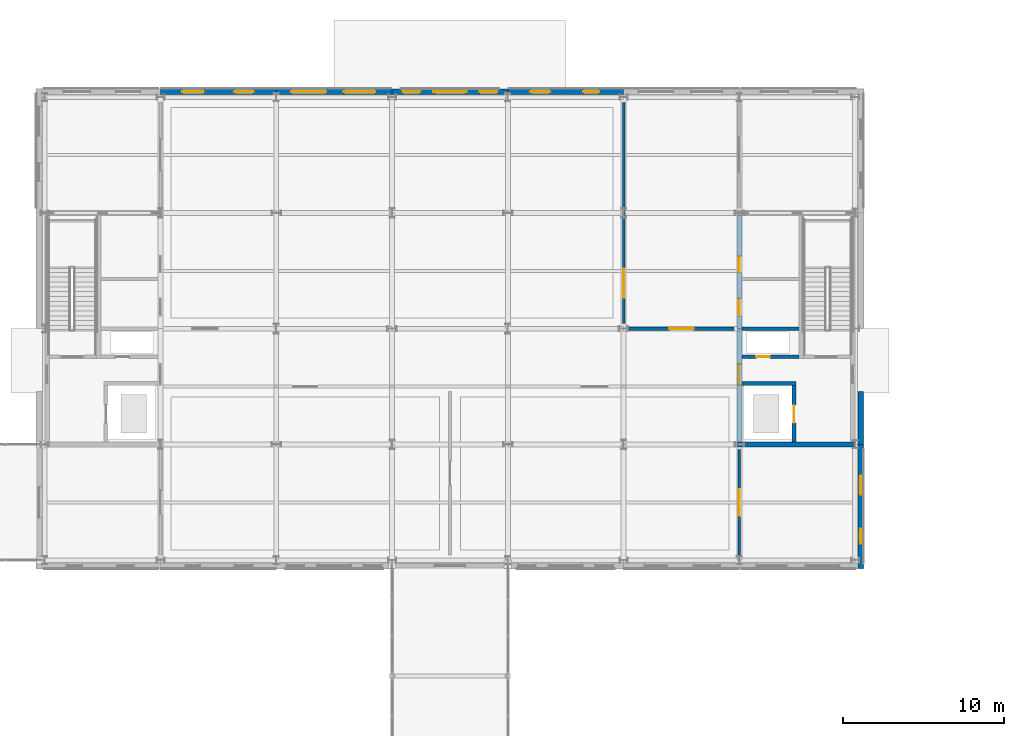
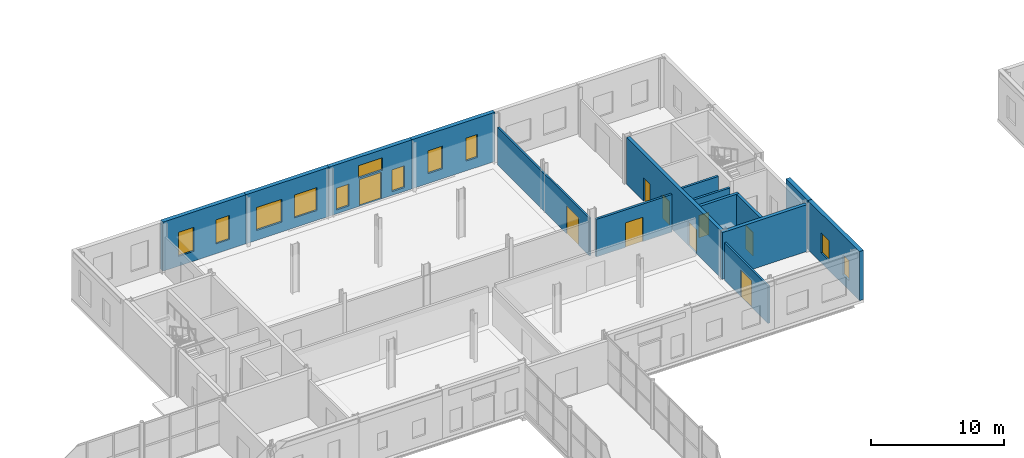
# One storey, part 64 of 92: 15 walls, 11 windows, 9 doors, 20 openings.
"""IFC4 building model written with IfcOpenShell, lengths in metres."""

from ifc_helpers import new_model, si_unit, direction, frame, frame_2d, origin, place, context, subcontext, project, spatial, rectangle, extrude, material, layer, layer_set, type_object, element, fill, save


model = new_model("IFC4")

# Units and contexts
model_context = context("Model", 3, precision=1e-05, world=origin(), true_north=direction((0.0, 1.0)))
body_context = subcontext(model_context, "Body", "Model", "MODEL_VIEW")
ifc_project = project(units=[si_unit("LENGTHUNIT", "METRE"), si_unit("AREAUNIT", "SQUARE_METRE"), si_unit("VOLUMEUNIT", "CUBIC_METRE"), si_unit("PLANEANGLEUNIT", "RADIAN"), si_unit("MASSUNIT", "GRAM", prefix="KILO")], contexts=[model_context])

# Site, building, storey
site_placement = place(None, origin())
site = spatial("IfcSite", under=ifc_project, at=site_placement, CompositionType="ELEMENT")
building_placement = place(site_placement, origin())
building = spatial("IfcBuilding", under=site, at=building_placement, Name="Zlatovets Crest Museum", CompositionType="ELEMENT")
storey_placement = place(building_placement, origin())
storey = spatial("IfcBuildingStorey", under=building, at=storey_placement, Name="L00", CompositionType="ELEMENT", Elevation=0.0)

# Wall
ifc_material_1 = material(Name="Concrete C35/45", Category="concrete")
ifc_layer_1 = layer(ifc_material_1, 0.300048828125)
ifc_layer_set_1 = layer_set([ifc_layer_1], Name="Concrete C35/45")
wall_type_1 = type_object("IfcWallType", Name="CoreWall_SW01", PredefinedType="SHEAR", material=ifc_layer_set_1)
wall_1_placement = place(storey_placement, frame((100.64990234375, 93.60009765625, 0.0), z_axis=(0.0, 0.0, 1.0), x_axis=(1.0, 0.0, 0.0)))
element("IfcWall", 1, at=wall_1_placement, inside=storey, type_object=wall_type_1, Name="Core C6 L00 South Shear Wall", PredefinedType="SHEAR", context=body_context, shape_type="SweptSolid", body=[
    extrude(rectangle(XDim=7.35009765625, YDim=0.300048828125, at=frame_2d((3.675048828125, 0.0))), origin(), (0.0, 0.0, 1.0), 4.280029296875),
])

# Wall, openings, doors
wall_2_placement = place(storey_placement, frame((100.800048828125, 93.75, 0.0), z_axis=(0.0, 0.0, 1.0), x_axis=(0.0, 1.0, 0.0)))
wall_2 = element("IfcWall", 2, at=wall_2_placement, inside=storey, type_object=wall_type_1, Name="Core C6 L00 Spine Shear Wall", PredefinedType="SHEAR", context=body_context, shape_type="SweptSolid", body=[
    extrude(rectangle(XDim=14.10009765625, YDim=0.300048828125, at=frame_2d((7.050048828125, 0.0))), origin(), (0.0, 0.0, 1.0), 4.280029296875),
])
opening_1_placement = place(wall_2_placement, frame((3.550048828125, 0.0, 0.0)))
opening_1 = element("IfcOpeningElement", 3, at=opening_1_placement, cuts=wall_2, Name="Opening FD-01", PredefinedType="OPENING", context=body_context, shape_type="SweptSolid", body=[
    extrude(rectangle(XDim=1.300048828125, YDim=2.199951171875, at=frame_2d((0.64990234375, 1.10009765625))), frame((0.0, 0.16015625, 0.0), z_axis=(0.0, -1.0, 0.0), x_axis=(1.0, 0.0, 0.0)), (0.0, 0.0, 1.0), 0.320068359375),
])
opening_2_placement = place(wall_2_placement, frame((7.85009765625, 0.0, 0.0)))
opening_2 = element("IfcOpeningElement", 4, at=opening_2_placement, cuts=wall_2, Name="Opening ID-02", PredefinedType="OPENING", context=body_context, shape_type="SweptSolid", body=[
    extrude(rectangle(XDim=1.050048828125, YDim=2.14990234375, at=frame_2d((0.52490234375, 1.074951171875))), frame((0.0, 0.16015625, 0.0), z_axis=(0.0, -1.0, 0.0), x_axis=(1.0, 0.0, 0.0)), (0.0, 0.0, 1.0), 0.320068359375),
])
opening_3_placement = place(wall_2_placement, frame((10.550048828125, 0.0, 0.0)))
opening_3 = element("IfcOpeningElement", 5, at=opening_3_placement, cuts=wall_2, Name="Opening ID-01", PredefinedType="OPENING", context=body_context, shape_type="SweptSolid", body=[
    extrude(rectangle(XDim=1.0, YDim=2.14990234375, at=frame_2d((0.5, 1.074951171875))), frame((0.0, 0.16015625, 0.0), z_axis=(0.0, -1.0, 0.0), x_axis=(1.0, 0.0, 0.0)), (0.0, 0.0, 1.0), 0.320068359375),
])
ifc_material_2 = material(Name="Smoke-sealed steel fire door", Category="steel")
door_type_1 = type_object("IfcDoorType", Name="IntDoor_FD-01", OperationType="NOTDEFINED", PredefinedType="DOOR", material=ifc_material_2)
door_1_placement = place(opening_1_placement, origin())
door_1 = element("IfcDoor", 6, at=door_1_placement, inside=storey, type_object=door_type_1, Name="CDOOR-C6-L00-LOB Core C6 L00 Lobby Fire Door", OperationType="SINGLE_SWING_RIGHT", OverallHeight=2.199951171875, OverallWidth=1.300048828125, PredefinedType="DOOR", context=body_context, shape_type="SweptSolid", body=[
    extrude(rectangle(XDim=1.300048828125, YDim=2.199951171875, at=frame_2d((0.64990234375, 1.10009765625))), frame((0.0, 0.02490234375, 0.0), z_axis=(0.0, -1.0, 0.0), x_axis=(1.0, 0.0, 0.0)), (0.0, 0.0, 1.0), 0.050048828125),
])
fill(opening_1, door_1)
ifc_material_3 = material(Name="Solid oak museum room door")
door_type_2 = type_object("IfcDoorType", Name="IntDoor_ID-01", OperationType="NOTDEFINED", PredefinedType="DOOR", material=ifc_material_3)
door_2_placement = place(opening_3_placement, origin())
door_2 = element("IfcDoor", 7, at=door_2_placement, inside=storey, type_object=door_type_2, Name="CDOOR-C6-L00-WC Core C6 L00 Public Restroom Door", OperationType="SINGLE_SWING_RIGHT", OverallHeight=2.14990234375, OverallWidth=1.0, PredefinedType="DOOR", context=body_context, shape_type="SweptSolid", body=[
    extrude(rectangle(XDim=1.0, YDim=2.14990234375, at=frame_2d((0.5, 1.074951171875))), frame((0.0, 0.02490234375, 0.0), z_axis=(0.0, -1.0, 0.0), x_axis=(1.0, 0.0, 0.0)), (0.0, 0.0, 1.0), 0.050048828125),
])
fill(opening_3, door_2)
ifc_material_4 = material(Name="Accessible sanitary room door")
door_type_3 = type_object("IfcDoorType", Name="IntDoor_ID-02", OperationType="NOTDEFINED", PredefinedType="DOOR", material=ifc_material_4)
door_3_placement = place(opening_2_placement, origin())
door_3 = element("IfcDoor", 8, at=door_3_placement, inside=storey, type_object=door_type_3, Name="CDOOR-C6-L00-AWC Core C6 L00 Accessible WC Door", OperationType="SINGLE_SWING_LEFT", OverallHeight=2.14990234375, OverallWidth=1.050048828125, PredefinedType="DOOR", context=body_context, shape_type="SweptSolid", body=[
    extrude(rectangle(XDim=1.050048828125, YDim=2.14990234375, at=frame_2d((0.52490234375, 1.074951171875))), frame((0.0, 0.02490234375, 0.0), z_axis=(0.0, -1.0, 0.0), x_axis=(1.0, 0.0, 0.0)), (0.0, 0.0, 1.0), 0.050048828125),
])
fill(opening_2, door_3)

# Wall, opening, door
ifc_layer_2 = layer(ifc_material_1, 0.25)
ifc_layer_set_2 = layer_set([ifc_layer_2], Name="Concrete C35/45")
wall_type_2 = type_object("IfcWallType", Name="CoreWall_SW02", PredefinedType="SHEAR", material=ifc_layer_set_2)
wall_3_placement = place(storey_placement, frame((104.199951171875, 93.75, 0.0), z_axis=(0.0, 0.0, 1.0), x_axis=(0.0, 1.0, 0.0)))
wall_3 = element("IfcWall", 9, at=wall_3_placement, inside=storey, type_object=wall_type_2, Name="Core C6 L00 Lift Shaft Wall", PredefinedType="SHEAR", context=body_context, shape_type="SweptSolid", body=[
    extrude(rectangle(XDim=3.52490234375, YDim=0.25, at=frame_2d((1.762451171875, 0.0))), origin(), (0.0, 0.0, 1.0), 4.280029296875),
])
opening_4_placement = place(wall_3_placement, frame((1.199951171875, 0.0, 0.0)))
opening_4 = element("IfcOpeningElement", 10, at=opening_4_placement, cuts=wall_3, Name="Opening LD-01", PredefinedType="OPENING", context=body_context, shape_type="SweptSolid", body=[
    extrude(rectangle(XDim=1.10009765625, YDim=2.14990234375, at=frame_2d((0.550048828125, 1.074951171875))), frame((0.0, 0.135009765625, 0.0), z_axis=(0.0, -1.0, 0.0), x_axis=(1.0, 0.0, 0.0)), (0.0, 0.0, 1.0), 0.27001953125),
])
ifc_material_5 = material(Name="Stainless-bronze sliding lift landing door")
door_type_4 = type_object("IfcDoorType", Name="IntDoor_LD-01", OperationType="SLIDING_TO_LEFT", PredefinedType="DOOR", material=ifc_material_5)
door_4_placement = place(opening_4_placement, origin())
door_4 = element("IfcDoor", 11, at=door_4_placement, inside=storey, type_object=door_type_4, Name="LDOOR-FL2-L00 Lift FL2 L00 Sliding Landing Door", OperationType="SLIDING_TO_LEFT", OverallHeight=2.14990234375, OverallWidth=1.10009765625, PredefinedType="DOOR", context=body_context, shape_type="SweptSolid", body=[
    extrude(rectangle(XDim=1.10009765625, YDim=2.14990234375, at=frame_2d((0.550048828125, 1.074951171875))), frame((0.0, 0.02490234375, 0.0), z_axis=(0.0, -1.0, 0.0), x_axis=(1.0, 0.0, 0.0)), (0.0, 0.0, 1.0), 0.050048828125),
])
fill(opening_4, door_4)

# Wall
wall_4_placement = place(storey_placement, frame((100.949951171875, 97.39990234375, 0.0), z_axis=(0.0, 0.0, 1.0), x_axis=(1.0, 0.0, 0.0)))
element("IfcWall", 12, at=wall_4_placement, inside=storey, type_object=wall_type_2, Name="Core C6 L00 Lift Shaft North Shear Wall", PredefinedType="SHEAR", context=body_context, shape_type="SweptSolid", body=[
    extrude(rectangle(XDim=3.375, YDim=0.25, at=frame_2d((1.6875, 0.0))), origin(), (0.0, 0.0, 1.0), 4.280029296875),
])

# Wall, openings, windows
ifc_material_6 = material(Name="Vratsa limestone ashlar masonry and mineral wool", Category="masonry")
ifc_layer_3 = layer(ifc_material_6, 0.35009765625)
ifc_layer_set_3 = layer_set([ifc_layer_3], Name="Vratsa limestone ashlar masonry and mineral wool")
wall_type_3 = type_object("IfcWallType", Name="ExtWall_EW-01", PredefinedType="STANDARD", material=ifc_layer_set_3)
wall_5_placement = place(storey_placement, frame((108.340087890625, 85.885009765625, 0.0), z_axis=(0.0, 0.0, 1.0), x_axis=(0.0, 1.0, 0.0)))
wall_5 = element("IfcWall", 13, at=wall_5_placement, inside=storey, type_object=wall_type_3, Name="V1 L00 Vratsa Limestone Plinth Wall", PredefinedType="STANDARD", context=body_context, shape_type="SweptSolid", body=[
    extrude(rectangle(XDim=7.715087890625, YDim=0.35009765625, at=frame_2d((3.857421875, 0.0))), origin(), (0.0, 0.0, 1.0), 4.5),
])
opening_5_placement = place(wall_5_placement, frame((1.5458984375, 0.0, 0.89990234375)))
opening_5 = element("IfcOpeningElement", 14, at=opening_5_placement, cuts=wall_5, Name="Opening WN-28", PredefinedType="OPENING", context=body_context, shape_type="SweptSolid", body=[
    extrude(rectangle(XDim=0.93994140625, YDim=1.820068359375, at=frame_2d((0.469970703125, 0.91015625))), frame((0.0, 0.18505859375, 0.0), z_axis=(0.0, -1.0, 0.0), x_axis=(1.0, 0.0, 0.0)), (0.0, 0.0, 1.0), 0.3701171875),
])
opening_6_placement = place(wall_5_placement, frame((4.593994140625, 0.0, 0.89990234375)))
opening_6 = element("IfcOpeningElement", 15, at=opening_6_placement, cuts=wall_5, Name="Opening WN-29", PredefinedType="OPENING", context=body_context, shape_type="SweptSolid", body=[
    extrude(rectangle(XDim=1.179931640625, YDim=1.820068359375, at=frame_2d((0.58984375, 0.91015625))), frame((0.0, 0.18505859375, 0.0), z_axis=(0.0, -1.0, 0.0), x_axis=(1.0, 0.0, 0.0)), (0.0, 0.0, 1.0), 0.3701171875),
])
ifc_material_7 = material(Name="Bronze-anodised aluminium frame with low-E triple glass", Category="aluminium")
window_type_1 = type_object("IfcWindowType", Name="Win_WN-28", PartitioningType="SINGLE_PANEL", PredefinedType="WINDOW", material=ifc_material_7)
window_1_placement = place(opening_5_placement, origin())
window_1 = element("IfcWindow", 16, at=window_1_placement, inside=storey, type_object=window_type_1, Name="V1 L00 Secession Plinth Window WN-28", OverallHeight=1.820068359375, OverallWidth=0.93994140625, PartitioningType="SINGLE_PANEL", PredefinedType="WINDOW", context=body_context, shape_type="SweptSolid", body=[
    extrude(rectangle(XDim=0.93994140625, YDim=1.820068359375, at=frame_2d((0.469970703125, 0.91015625))), frame((0.0, 0.030029296875, 0.0), z_axis=(0.0, -1.0, 0.0), x_axis=(1.0, 0.0, 0.0)), (0.0, 0.0, 1.0), 0.06005859375),
])
fill(opening_5, window_1)
window_type_2 = type_object("IfcWindowType", Name="Win_WN-29", PartitioningType="SINGLE_PANEL", PredefinedType="WINDOW", material=ifc_material_7)
window_2_placement = place(opening_6_placement, origin())
window_2 = element("IfcWindow", 17, at=window_2_placement, inside=storey, type_object=window_type_2, Name="V1 L00 Secession Plinth Window WN-29", OverallHeight=1.820068359375, OverallWidth=1.179931640625, PartitioningType="SINGLE_PANEL", PredefinedType="WINDOW", context=body_context, shape_type="SweptSolid", body=[
    extrude(rectangle(XDim=1.179931640625, YDim=1.820068359375, at=frame_2d((0.58984375, 0.91015625))), frame((0.0, 0.030029296875, 0.0), z_axis=(0.0, -1.0, 0.0), x_axis=(1.0, 0.0, 0.0)), (0.0, 0.0, 1.0), 0.06005859375),
])
fill(opening_6, window_2)

# Wall
wall_6_placement = place(storey_placement, frame((108.340087890625, 93.60009765625, 0.0), z_axis=(0.0, 0.0, 1.0), x_axis=(0.0, 1.0, 0.0)))
element("IfcWall", 18, at=wall_6_placement, inside=storey, type_object=wall_type_3, Name="V1 L00 Vratsa Limestone Core Plinth", PredefinedType="STANDARD", context=body_context, shape_type="SweptSolid", body=[
    extrude(rectangle(XDim=3.2998046875, YDim=0.35009765625, at=frame_2d((1.64990234375, 0.0))), origin(), (0.0, 0.0, 1.0), 4.5),
])

# Wall, openings, windows
wall_7_placement = place(storey_placement, frame((93.60009765625, 115.5400390625, 0.0), z_axis=(0.0, 0.0, 1.0), x_axis=(-1.0, 0.0, 0.0)))
wall_7 = element("IfcWall", 19, at=wall_7_placement, inside=storey, type_object=wall_type_3, Name="V1 L00 Vratsa Limestone Plinth Wall", PredefinedType="STANDARD", context=body_context, shape_type="SweptSolid", body=[
    extrude(rectangle(XDim=7.2001953125, YDim=0.35009765625, at=frame_2d((3.60009765625, 0.0))), origin(), (0.0, 0.0, 1.0), 4.5),
])
opening_7_placement = place(wall_7_placement, frame((1.51611328125, 0.0, 0.89990234375)))
opening_7 = element("IfcOpeningElement", 20, at=opening_7_placement, cuts=wall_7, Name="Opening WN-40", PredefinedType="OPENING", context=body_context, shape_type="SweptSolid", body=[
    extrude(rectangle(XDim=1.0, YDim=2.10009765625, at=frame_2d((0.5, 1.050048828125))), frame((0.0, 0.18505859375, 0.0), z_axis=(0.0, -1.0, 0.0), x_axis=(1.0, 0.0, 0.0)), (0.0, 0.0, 1.0), 0.3701171875),
])
opening_8_placement = place(wall_7_placement, frame((4.56396484375, 0.0, 0.89990234375)))
opening_8 = element("IfcOpeningElement", 21, at=opening_8_placement, cuts=wall_7, Name="Opening WN-41", PredefinedType="OPENING", context=body_context, shape_type="SweptSolid", body=[
    extrude(rectangle(XDim=1.239990234375, YDim=2.10009765625, at=frame_2d((0.6201171875, 1.050048828125))), frame((0.0, 0.18505859375, 0.0), z_axis=(0.0, -1.0, 0.0), x_axis=(1.0, 0.0, 0.0)), (0.0, 0.0, 1.0), 0.3701171875),
])
window_type_3 = type_object("IfcWindowType", Name="Win_WN-40", PartitioningType="SINGLE_PANEL", PredefinedType="WINDOW", material=ifc_material_7)
window_3_placement = place(opening_7_placement, origin())
window_3 = element("IfcWindow", 22, at=window_3_placement, inside=storey, type_object=window_type_3, Name="V1 L00 Secession Plinth Window WN-40", OverallHeight=2.10009765625, OverallWidth=1.0, PartitioningType="SINGLE_PANEL", PredefinedType="WINDOW", context=body_context, shape_type="SweptSolid", body=[
    extrude(rectangle(XDim=1.0, YDim=2.10009765625, at=frame_2d((0.5, 1.050048828125))), frame((0.0, 0.030029296875, 0.0), z_axis=(0.0, -1.0, 0.0), x_axis=(1.0, 0.0, 0.0)), (0.0, 0.0, 1.0), 0.06005859375),
])
fill(opening_7, window_3)
window_type_4 = type_object("IfcWindowType", Name="Win_WN-41", PartitioningType="SINGLE_PANEL", PredefinedType="WINDOW", material=ifc_material_7)
window_4_placement = place(opening_8_placement, origin())
window_4 = element("IfcWindow", 23, at=window_4_placement, inside=storey, type_object=window_type_4, Name="V1 L00 Secession Plinth Window WN-41", OverallHeight=2.10009765625, OverallWidth=1.239990234375, PartitioningType="SINGLE_PANEL", PredefinedType="WINDOW", context=body_context, shape_type="SweptSolid", body=[
    extrude(rectangle(XDim=1.239990234375, YDim=2.10009765625, at=frame_2d((0.6201171875, 1.050048828125))), frame((0.0, 0.030029296875, 0.0), z_axis=(0.0, -1.0, 0.0), x_axis=(1.0, 0.0, 0.0)), (0.0, 0.0, 1.0), 0.06005859375),
])
fill(opening_8, window_4)

# Wall, openings, door, windows
wall_8_placement = place(storey_placement, frame((86.39990234375, 115.5400390625, 0.0), z_axis=(0.0, 0.0, 1.0), x_axis=(-1.0, 0.0, 0.0)))
wall_8 = element("IfcWall", 24, at=wall_8_placement, inside=storey, type_object=wall_type_3, Name="V1 L00 Sculpted Art Nouveau Portal Wall", PredefinedType="STANDARD", context=body_context, shape_type="SweptSolid", body=[
    extrude(rectangle(XDim=7.199951171875, YDim=0.35009765625, at=frame_2d((3.60009765625, 0.0))), origin(), (0.0, 0.0, 1.0), 4.5),
])
opening_9_placement = place(wall_8_placement, frame((2.64990234375, 0.0, 0.0)))
opening_9 = element("IfcOpeningElement", 25, at=opening_9_placement, cuts=wall_8, Name="Opening ED-02", PredefinedType="OPENING", context=body_context, shape_type="SweptSolid", body=[
    extrude(rectangle(XDim=1.89990234375, YDim=2.449951171875, at=frame_2d((0.949951171875, 1.22509765625))), frame((0.0, 0.18505859375, 0.0), z_axis=(0.0, -1.0, 0.0), x_axis=(1.0, 0.0, 0.0)), (0.0, 0.0, 1.0), 0.3701171875),
])
opening_10_placement = place(wall_8_placement, frame((2.550048828125, 0.0, 2.60009765625)))
opening_10 = element("IfcOpeningElement", 26, at=opening_10_placement, cuts=wall_8, Name="Opening WN-13", PredefinedType="OPENING", context=body_context, shape_type="SweptSolid", body=[
    extrude(rectangle(XDim=2.10009765625, YDim=1.14990234375, at=frame_2d((1.050048828125, 0.574951171875))), frame((0.0, 0.18505859375, 0.0), z_axis=(0.0, -1.0, 0.0), x_axis=(1.0, 0.0, 0.0)), (0.0, 0.0, 1.0), 0.3701171875),
])
opening_11_placement = place(wall_8_placement, frame((0.64990234375, 0.0, 0.35009765625)))
opening_11 = element("IfcOpeningElement", 27, at=opening_11_placement, cuts=wall_8, Name="Opening WN-06", PredefinedType="OPENING", context=body_context, shape_type="SweptSolid", body=[
    extrude(rectangle(XDim=1.10009765625, YDim=2.0, at=frame_2d((0.550048828125, 1.0))), frame((0.0, 0.18505859375, 0.0), z_axis=(0.0, -1.0, 0.0), x_axis=(1.0, 0.0, 0.0)), (0.0, 0.0, 1.0), 0.3701171875),
])
opening_12_placement = place(wall_8_placement, frame((5.449951171875, 0.0, 0.35009765625)))
opening_12 = element("IfcOpeningElement", 28, at=opening_12_placement, cuts=wall_8, Name="Opening WN-06", PredefinedType="OPENING", context=body_context, shape_type="SweptSolid", body=[
    extrude(rectangle(XDim=1.10009765625, YDim=2.0, at=frame_2d((0.550048828125, 1.0))), frame((0.0, 0.18505859375, 0.0), z_axis=(0.0, -1.0, 0.0), x_axis=(1.0, 0.0, 0.0)), (0.0, 0.0, 1.0), 0.3701171875),
])
ifc_material_8 = material(Name="Bronze-clad insulated steel door", Category="steel")
door_type_5 = type_object("IfcDoorType", Name="ExtDoor_ED-02", OperationType="NOTDEFINED", PredefinedType="DOOR", material=ifc_material_8)
door_5_placement = place(opening_9_placement, origin())
door_5 = element("IfcDoor", 29, at=door_5_placement, inside=storey, type_object=door_type_5, Name="ED-V1-L00-P004 CREST GARDEN ENTRANCE Exit Door", OperationType="DOUBLE_DOOR_SINGLE_SWING", OverallHeight=2.449951171875, OverallWidth=1.89990234375, PredefinedType="DOOR", context=body_context, shape_type="SweptSolid", body=[
    extrude(rectangle(XDim=1.89990234375, YDim=2.449951171875, at=frame_2d((0.949951171875, 1.22509765625))), frame((0.0, 0.02490234375, 0.0), z_axis=(0.0, -1.0, 0.0), x_axis=(1.0, 0.0, 0.0)), (0.0, 0.0, 1.0), 0.050048828125),
])
fill(opening_9, door_5)
window_type_5 = type_object("IfcWindowType", Name="Win_WN-06", PartitioningType="SINGLE_PANEL", PredefinedType="WINDOW", material=ifc_material_7)
window_5_placement = place(opening_11_placement, origin())
window_5 = element("IfcWindow", 30, at=window_5_placement, inside=storey, type_object=window_type_5, Name="CREST GARDEN ENTRANCE Glazed Portal Sidelight 1", OverallHeight=2.0, OverallWidth=1.10009765625, PartitioningType="SINGLE_PANEL", PredefinedType="WINDOW", context=body_context, shape_type="SweptSolid", body=[
    extrude(rectangle(XDim=1.10009765625, YDim=2.0, at=frame_2d((0.550048828125, 1.0))), frame((0.0, 0.030029296875, 0.0), z_axis=(0.0, -1.0, 0.0), x_axis=(1.0, 0.0, 0.0)), (0.0, 0.0, 1.0), 0.06005859375),
])
fill(opening_11, window_5)
window_6_placement = place(opening_12_placement, origin())
window_6 = element("IfcWindow", 31, at=window_6_placement, inside=storey, type_object=window_type_5, Name="CREST GARDEN ENTRANCE Glazed Portal Sidelight 2", OverallHeight=2.0, OverallWidth=1.10009765625, PartitioningType="SINGLE_PANEL", PredefinedType="WINDOW", context=body_context, shape_type="SweptSolid", body=[
    extrude(rectangle(XDim=1.10009765625, YDim=2.0, at=frame_2d((0.550048828125, 1.0))), frame((0.0, 0.030029296875, 0.0), z_axis=(0.0, -1.0, 0.0), x_axis=(1.0, 0.0, 0.0)), (0.0, 0.0, 1.0), 0.06005859375),
])
fill(opening_12, window_6)
window_type_6 = type_object("IfcWindowType", Name="Win_WN-13", PartitioningType="SINGLE_PANEL", PredefinedType="WINDOW", material=ifc_material_7)
window_7_placement = place(opening_10_placement, origin())
window_7 = element("IfcWindow", 32, at=window_7_placement, inside=storey, type_object=window_type_6, Name="CREST GARDEN ENTRANCE Arched Portal Fanlight", OverallHeight=1.14990234375, OverallWidth=2.10009765625, PartitioningType="SINGLE_PANEL", PredefinedType="WINDOW", context=body_context, shape_type="SweptSolid", body=[
    extrude(rectangle(XDim=2.10009765625, YDim=1.14990234375, at=frame_2d((1.050048828125, 0.574951171875))), frame((0.0, 0.030029296875, 0.0), z_axis=(0.0, -1.0, 0.0), x_axis=(1.0, 0.0, 0.0)), (0.0, 0.0, 1.0), 0.06005859375),
])
fill(opening_10, window_7)

# Wall, openings, windows
wall_9_placement = place(storey_placement, frame((79.199951171875, 115.5400390625, 0.0), z_axis=(0.0, 0.0, 1.0), x_axis=(-1.0, 0.0, 0.0)))
wall_9 = element("IfcWall", 33, at=wall_9_placement, inside=storey, type_object=wall_type_3, Name="V1 L00 Vratsa Limestone Plinth Wall", PredefinedType="STANDARD", context=body_context, shape_type="SweptSolid", body=[
    extrude(rectangle(XDim=7.199951171875, YDim=0.35009765625, at=frame_2d((3.60009765625, 0.0))), origin(), (0.0, 0.0, 1.0), 4.5),
])
opening_13_placement = place(wall_9_placement, frame((1.035888671875, 0.0, 0.89990234375)))
opening_13 = element("IfcOpeningElement", 34, at=opening_13_placement, cuts=wall_9, Name="Opening WN-44", PredefinedType="OPENING", context=body_context, shape_type="SweptSolid", body=[
    extrude(rectangle(XDim=1.9599609375, YDim=2.10009765625, at=frame_2d((0.97998046875, 1.050048828125))), frame((0.0, 0.18505859375, 0.0), z_axis=(0.0, -1.0, 0.0), x_axis=(1.0, 0.0, 0.0)), (0.0, 0.0, 1.0), 0.3701171875),
])
opening_14_placement = place(wall_9_placement, frame((4.083984375, 0.0, 0.89990234375)))
opening_14 = element("IfcOpeningElement", 35, at=opening_14_placement, cuts=wall_9, Name="Opening WN-45", PredefinedType="OPENING", context=body_context, shape_type="SweptSolid", body=[
    extrude(rectangle(XDim=2.199951171875, YDim=2.10009765625, at=frame_2d((1.10009765625, 1.050048828125))), frame((0.0, 0.18505859375, 0.0), z_axis=(0.0, -1.0, 0.0), x_axis=(1.0, 0.0, 0.0)), (0.0, 0.0, 1.0), 0.3701171875),
])
window_type_7 = type_object("IfcWindowType", Name="Win_WN-44", PartitioningType="SINGLE_PANEL", PredefinedType="WINDOW", material=ifc_material_7)
window_8_placement = place(opening_13_placement, origin())
window_8 = element("IfcWindow", 36, at=window_8_placement, inside=storey, type_object=window_type_7, Name="V1 L00 Secession Plinth Window WN-44", OverallHeight=2.10009765625, OverallWidth=1.9599609375, PartitioningType="SINGLE_PANEL", PredefinedType="WINDOW", context=body_context, shape_type="SweptSolid", body=[
    extrude(rectangle(XDim=1.9599609375, YDim=2.10009765625, at=frame_2d((0.97998046875, 1.050048828125))), frame((0.0, 0.030029296875, 0.0), z_axis=(0.0, -1.0, 0.0), x_axis=(1.0, 0.0, 0.0)), (0.0, 0.0, 1.0), 0.06005859375),
])
fill(opening_13, window_8)
window_type_8 = type_object("IfcWindowType", Name="Win_WN-45", PartitioningType="SINGLE_PANEL", PredefinedType="WINDOW", material=ifc_material_7)
window_9_placement = place(opening_14_placement, origin())
window_9 = element("IfcWindow", 37, at=window_9_placement, inside=storey, type_object=window_type_8, Name="V1 L00 Secession Plinth Window WN-45", OverallHeight=2.10009765625, OverallWidth=2.199951171875, PartitioningType="SINGLE_PANEL", PredefinedType="WINDOW", context=body_context, shape_type="SweptSolid", body=[
    extrude(rectangle(XDim=2.199951171875, YDim=2.10009765625, at=frame_2d((1.10009765625, 1.050048828125))), frame((0.0, 0.030029296875, 0.0), z_axis=(0.0, -1.0, 0.0), x_axis=(1.0, 0.0, 0.0)), (0.0, 0.0, 1.0), 0.06005859375),
])
fill(opening_14, window_9)

wall_10_placement = place(storey_placement, frame((72.0, 115.5400390625, 0.0), z_axis=(0.0, 0.0, 1.0), x_axis=(-1.0, 0.0, 0.0)))
wall_10 = element("IfcWall", 38, at=wall_10_placement, inside=storey, type_object=wall_type_3, Name="V1 L00 Vratsa Limestone Plinth Wall", PredefinedType="STANDARD", context=body_context, shape_type="SweptSolid", body=[
    extrude(rectangle(XDim=7.199951171875, YDim=0.35009765625, at=frame_2d((3.60009765625, 0.0))), origin(), (0.0, 0.0, 1.0), 4.5),
])
opening_15_placement = place(wall_10_placement, frame((1.416015625, 0.0, 0.89990234375)))
opening_15 = element("IfcOpeningElement", 39, at=opening_15_placement, cuts=wall_10, Name="Opening WN-01", PredefinedType="OPENING", context=body_context, shape_type="SweptSolid", body=[
    extrude(rectangle(XDim=1.199951171875, YDim=2.199951171875, at=frame_2d((0.60009765625, 1.10009765625))), frame((0.0, 0.18505859375, 0.0), z_axis=(0.0, -1.0, 0.0), x_axis=(1.0, 0.0, 0.0)), (0.0, 0.0, 1.0), 0.3701171875),
])
opening_16_placement = place(wall_10_placement, frame((4.509033203125, 0.0, 0.89990234375)))
opening_16 = element("IfcOpeningElement", 40, at=opening_16_placement, cuts=wall_10, Name="Opening WN-02", PredefinedType="OPENING", context=body_context, shape_type="SweptSolid", body=[
    extrude(rectangle(XDim=1.35009765625, YDim=2.199951171875, at=frame_2d((0.675048828125, 1.10009765625))), frame((0.0, 0.18505859375, 0.0), z_axis=(0.0, -1.0, 0.0), x_axis=(1.0, 0.0, 0.0)), (0.0, 0.0, 1.0), 0.3701171875),
])
window_type_9 = type_object("IfcWindowType", Name="Win_WN-01", PartitioningType="SINGLE_PANEL", PredefinedType="WINDOW", material=ifc_material_7)
window_10_placement = place(opening_15_placement, origin())
window_10 = element("IfcWindow", 41, at=window_10_placement, inside=storey, type_object=window_type_9, Name="V1 L00 Secession Plinth Window WN-01", OverallHeight=2.199951171875, OverallWidth=1.199951171875, PartitioningType="SINGLE_PANEL", PredefinedType="WINDOW", context=body_context, shape_type="SweptSolid", body=[
    extrude(rectangle(XDim=1.199951171875, YDim=2.199951171875, at=frame_2d((0.60009765625, 1.10009765625))), frame((0.0, 0.030029296875, 0.0), z_axis=(0.0, -1.0, 0.0), x_axis=(1.0, 0.0, 0.0)), (0.0, 0.0, 1.0), 0.06005859375),
])
fill(opening_15, window_10)
window_type_10 = type_object("IfcWindowType", Name="Win_WN-02", PartitioningType="SINGLE_PANEL", PredefinedType="WINDOW", material=ifc_material_7)
window_11_placement = place(opening_16_placement, origin())
window_11 = element("IfcWindow", 42, at=window_11_placement, inside=storey, type_object=window_type_10, Name="V1 L00 Secession Plinth Window WN-02", OverallHeight=2.199951171875, OverallWidth=1.35009765625, PartitioningType="SINGLE_PANEL", PredefinedType="WINDOW", context=body_context, shape_type="SweptSolid", body=[
    extrude(rectangle(XDim=1.35009765625, YDim=2.199951171875, at=frame_2d((0.675048828125, 1.10009765625))), frame((0.0, 0.030029296875, 0.0), z_axis=(0.0, -1.0, 0.0), x_axis=(1.0, 0.0, 0.0)), (0.0, 0.0, 1.0), 0.06005859375),
])
fill(opening_16, window_11)

# Wall, opening, door
ifc_material_9 = material(Name="Gypsum-encased fire compartment partition")
ifc_layer_4 = layer(ifc_material_9, 0.199951171875)
ifc_layer_set_4 = layer_set([ifc_layer_4], Name="Gypsum-encased fire compartment partition")
wall_type_4 = type_object("IfcWallType", Name="PartWall_PT-01", PredefinedType="PARTITIONING", material=ifc_layer_set_4)
wall_11_placement = place(storey_placement, frame((93.919921875, 100.800048828125, 0.0), z_axis=(0.0, 0.0, 1.0), x_axis=(1.0, 0.0, 0.0)))
wall_11 = element("IfcWall", 43, at=wall_11_placement, inside=storey, type_object=wall_type_4, Name="V1 L00 Interior Partition PT-01", PredefinedType="PARTITIONING", context=body_context, shape_type="SweptSolid", body=[
    extrude(rectangle(XDim=6.56005859375, YDim=0.199951171875, at=frame_2d((3.280029296875, 0.0))), origin(), (0.0, 0.0, 1.0), 3.449951171875),
])
opening_17_placement = place(wall_11_placement, frame((2.530029296875, 0.0, 0.0)))
opening_17 = element("IfcOpeningElement", 44, at=opening_17_placement, cuts=wall_11, Name="Opening FD-02", PredefinedType="OPENING", context=body_context, shape_type="SweptSolid", body=[
    extrude(rectangle(XDim=1.5, YDim=2.25, at=frame_2d((0.75, 1.125))), frame((0.0, 0.10986328125, 0.0), z_axis=(0.0, -1.0, 0.0), x_axis=(1.0, 0.0, 0.0)), (0.0, 0.0, 1.0), 0.219970703125),
])
ifc_material_10 = material(Name="Double corridor compartment fire door")
door_type_6 = type_object("IfcDoorType", Name="IntDoor_FD-02", OperationType="DOUBLE_DOOR_SINGLE_SWING", PredefinedType="DOOR", material=ifc_material_10)
door_6_placement = place(opening_17_placement, origin())
door_6 = element("IfcDoor", 45, at=door_6_placement, inside=storey, type_object=door_type_6, Name="IDOOR-V1-L00-0048 North Gallery Concourse to Natural Science Education Studio Door", OperationType="DOUBLE_DOOR_SINGLE_SWING", OverallHeight=2.25, OverallWidth=1.5, PredefinedType="DOOR", context=body_context, shape_type="SweptSolid", body=[
    extrude(rectangle(XDim=1.5, YDim=2.25, at=frame_2d((0.75, 1.125))), frame((0.0, 0.02490234375, 0.0), z_axis=(0.0, -1.0, 0.0), x_axis=(1.0, 0.0, 0.0)), (0.0, 0.0, 1.0), 0.050048828125),
])
fill(opening_17, door_6)

ifc_material_11 = material(Name="Acoustic museum gallery stud partition")
ifc_layer_5 = layer(ifc_material_11, 0.159912109375)
ifc_layer_set_5 = layer_set([ifc_layer_5], Name="Acoustic museum gallery stud partition")
wall_type_5 = type_object("IfcWallType", Name="PartWall_PT-02", PredefinedType="PARTITIONING", material=ifc_layer_set_5)
wall_12_placement = place(storey_placement, frame((100.800048828125, 86.719970703125, 0.0), z_axis=(0.0, 0.0, 1.0), x_axis=(0.0, 1.0, 0.0)))
wall_12 = element("IfcWall", 46, at=wall_12_placement, inside=storey, type_object=wall_type_5, Name="V1 L00 Interior Partition PT-02", PredefinedType="PARTITIONING", context=body_context, shape_type="SweptSolid", body=[
    extrude(rectangle(XDim=6.56005859375, YDim=0.159912109375, at=frame_2d((3.280029296875, 0.0))), origin(), (0.0, 0.0, 1.0), 3.449951171875),
])
opening_18_placement = place(wall_12_placement, frame((2.455078125, 0.0, 0.0)))
opening_18 = element("IfcOpeningElement", 47, at=opening_18_placement, cuts=wall_12, Name="Opening ID-24", PredefinedType="OPENING", context=body_context, shape_type="SweptSolid", body=[
    extrude(rectangle(XDim=1.64990234375, YDim=2.449951171875, at=frame_2d((0.824951171875, 1.22509765625))), frame((0.0, 0.08984375, 0.0), z_axis=(0.0, -1.0, 0.0), x_axis=(1.0, 0.0, 0.0)), (0.0, 0.0, 1.0), 0.179931640625),
])
ifc_material_12 = material(Name="Mineralogy salon double door")
door_type_7 = type_object("IfcDoorType", Name="IntDoor_ID-24", OperationType="DOUBLE_DOOR_SINGLE_SWING", PredefinedType="DOOR", material=ifc_material_12)
door_7_placement = place(opening_18_placement, origin())
door_7 = element("IfcDoor", 48, at=door_7_placement, inside=storey, type_object=door_type_7, Name="IDOOR-V1-L00-0051 Rhodope Mineralogy and Crystal Gallery to Crystal Specimen Cabinet Door", OperationType="DOUBLE_DOOR_SINGLE_SWING", OverallHeight=2.449951171875, OverallWidth=1.64990234375, PredefinedType="DOOR", context=body_context, shape_type="SweptSolid", body=[
    extrude(rectangle(XDim=1.64990234375, YDim=2.449951171875, at=frame_2d((0.824951171875, 1.22509765625))), frame((0.0, 0.02490234375, 0.0), z_axis=(0.0, -1.0, 0.0), x_axis=(1.0, 0.0, 0.0)), (0.0, 0.0, 1.0), 0.050048828125),
])
fill(opening_18, door_7)

wall_13_placement = place(storey_placement, frame((93.60009765625, 101.1201171875, 0.0), z_axis=(0.0, 0.0, 1.0), x_axis=(0.0, 1.0, 0.0)))
wall_13 = element("IfcWall", 49, at=wall_13_placement, inside=storey, type_object=wall_type_5, Name="V1 L00 Interior Partition PT-02", PredefinedType="PARTITIONING", context=body_context, shape_type="SweptSolid", body=[
    extrude(rectangle(XDim=13.759765625, YDim=0.159912109375, at=frame_2d((6.8798828125, 0.0))), origin(), (0.0, 0.0, 1.0), 3.449951171875),
])
opening_19_placement = place(wall_13_placement, frame((1.601806640625, 0.0, 0.0)))
opening_19 = element("IfcOpeningElement", 50, at=opening_19_placement, cuts=wall_13, Name="Opening ID-25", PredefinedType="OPENING", context=body_context, shape_type="SweptSolid", body=[
    extrude(rectangle(XDim=1.800048828125, YDim=2.550048828125, at=frame_2d((0.89990234375, 1.27490234375))), frame((0.0, 0.08984375, 0.0), z_axis=(0.0, -1.0, 0.0), x_axis=(1.0, 0.0, 0.0)), (0.0, 0.0, 1.0), 0.179931640625),
])
ifc_material_13 = material(Name="Exhibition enfilade double door")
door_type_8 = type_object("IfcDoorType", Name="IntDoor_ID-25", OperationType="DOUBLE_DOOR_SINGLE_SWING", PredefinedType="DOOR", material=ifc_material_13)
door_8_placement = place(opening_19_placement, origin())
door_8 = element("IfcDoor", 51, at=door_8_placement, inside=storey, type_object=door_type_8, Name="IDOOR-V1-L00-0052 Balkan Natural Heritage Gallery to Natural Science Education Studio Door", OperationType="DOUBLE_DOOR_SINGLE_SWING", OverallHeight=2.550048828125, OverallWidth=1.800048828125, PredefinedType="DOOR", context=body_context, shape_type="SweptSolid", body=[
    extrude(rectangle(XDim=1.800048828125, YDim=2.550048828125, at=frame_2d((0.89990234375, 1.27490234375))), frame((0.0, 0.02490234375, 0.0), z_axis=(0.0, -1.0, 0.0), x_axis=(1.0, 0.0, 0.0)), (0.0, 0.0, 1.0), 0.050048828125),
])
fill(opening_19, door_8)

ifc_material_14 = material(Name="Sanitary core acoustic service wall")
ifc_layer_6 = layer(ifc_material_14, 0.219970703125)
ifc_layer_set_6 = layer_set([ifc_layer_6], Name="Sanitary core acoustic service wall")
wall_type_6 = type_object("IfcWallType", Name="PartWall_PT-04", PredefinedType="PLUMBINGWALL", material=ifc_layer_set_6)
wall_14_placement = place(storey_placement, frame((100.949951171875, 99.050048828125, 0.0), z_axis=(0.0, 0.0, 1.0), x_axis=(1.0, 0.0, 0.0)))
wall_14 = element("IfcWall", 52, at=wall_14_placement, inside=storey, type_object=wall_type_6, Name="Core C6 L00 Riser Lobby Wall", PredefinedType="PLUMBINGWALL", context=body_context, shape_type="SweptSolid", body=[
    extrude(rectangle(XDim=3.550048828125, YDim=0.199951171875, at=frame_2d((1.77490234375, 0.0))), origin(), (0.0, 0.0, 1.0), 3.699951171875),
])
opening_20_placement = place(wall_14_placement, frame((0.89990234375, 0.0, 0.0)))
opening_20 = element("IfcOpeningElement", 53, at=opening_20_placement, cuts=wall_14, Name="Opening FD-03", PredefinedType="OPENING", context=body_context, shape_type="SweptSolid", body=[
    extrude(rectangle(XDim=0.85009765625, YDim=2.050048828125, at=frame_2d((0.425048828125, 1.02490234375))), frame((0.0, 0.10986328125, 0.0), z_axis=(0.0, -1.0, 0.0), x_axis=(1.0, 0.0, 0.0)), (0.0, 0.0, 1.0), 0.219970703125),
])
ifc_material_15 = material(Name="Steel riser shaft access fire door", Category="steel")
door_type_9 = type_object("IfcDoorType", Name="IntDoor_FD-03", OperationType="NOTDEFINED", PredefinedType="TRAPDOOR", material=ifc_material_15)
door_9_placement = place(opening_20_placement, origin())
door_9 = element("IfcDoor", 54, at=door_9_placement, inside=storey, type_object=door_type_9, Name="CDOOR-C6-L00-RIS Core C6 L00 Riser Access Door", OperationType="SINGLE_SWING_RIGHT", OverallHeight=2.050048828125, OverallWidth=0.85009765625, PredefinedType="TRAPDOOR", context=body_context, shape_type="SweptSolid", body=[
    extrude(rectangle(XDim=0.85009765625, YDim=2.050048828125, at=frame_2d((0.425048828125, 1.02490234375))), frame((0.0, 0.02490234375, 0.0), z_axis=(0.0, -1.0, 0.0), x_axis=(1.0, 0.0, 0.0)), (0.0, 0.0, 1.0), 0.050048828125),
])
fill(opening_20, door_9)

# Wall
wall_15_placement = place(storey_placement, frame((100.949951171875, 100.800048828125, 0.0), z_axis=(0.0, 0.0, 1.0), x_axis=(1.0, 0.0, 0.0)))
element("IfcWall", 55, at=wall_15_placement, inside=storey, type_object=wall_type_6, Name="Core C6 L00 Sanitary Divider", PredefinedType="PLUMBINGWALL", context=body_context, shape_type="SweptSolid", body=[
    extrude(rectangle(XDim=3.550048828125, YDim=0.199951171875, at=frame_2d((1.77490234375, 0.0))), origin(), (0.0, 0.0, 1.0), 3.699951171875),
])

save(model, "model.ifc")
